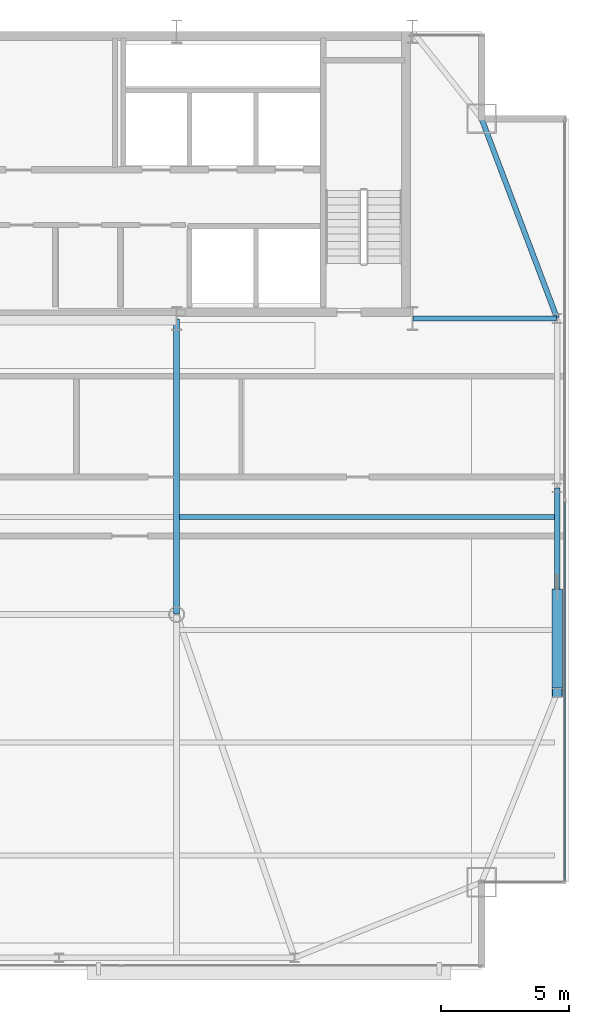
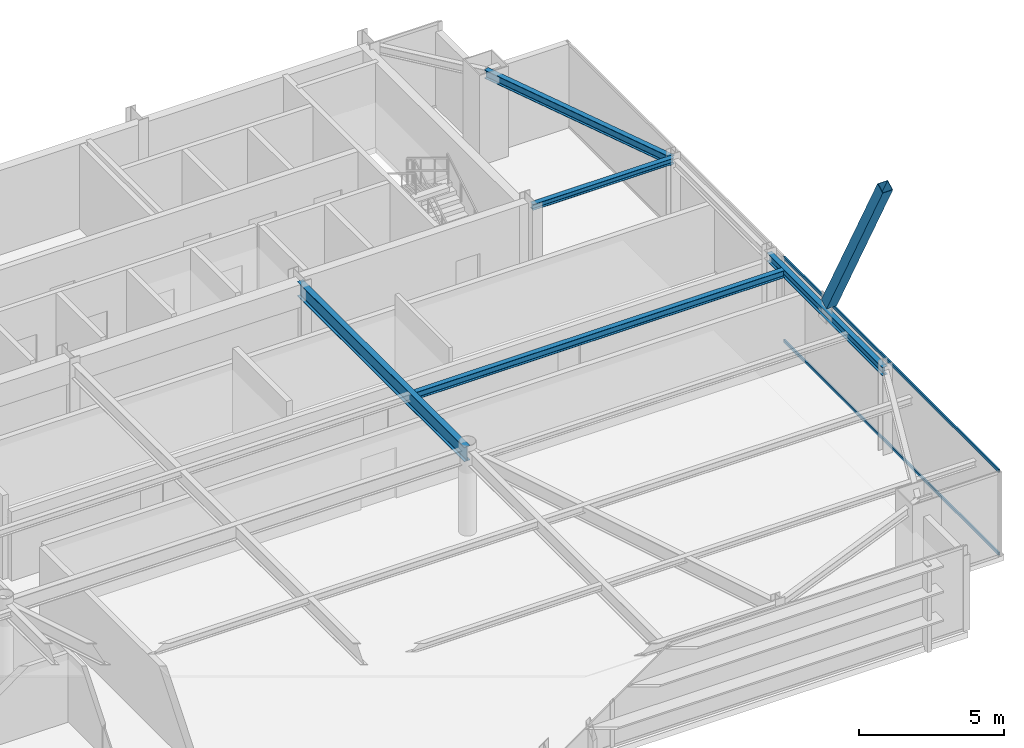
# One storey, part 14 of 26: 5 beams, 3 members, 1 element without a shape of its own.
"""IFC4 building model written with IfcOpenShell, lengths in metres."""

from ifc_helpers import new_model, si_unit, direction, frame, origin, origin_2d, place, context, subcontext, project, spatial, hollow_rectangle, i_section, extrude, source, transform, mapped, material, layer, layer_set, material_profile, profile_set, type_object, type_shapes, element, aggregate, save


model = new_model("IFC4")

# Units and contexts
model_context = context("Model", 3, precision=1e-05, world=origin(), true_north=direction((0.0, 1.0)))
body_context = subcontext(model_context, "Body", "Model", "MODEL_VIEW")
ifc_project = project(units=[si_unit("LENGTHUNIT", "METRE"), si_unit("AREAUNIT", "SQUARE_METRE"), si_unit("VOLUMEUNIT", "CUBIC_METRE"), si_unit("PLANEANGLEUNIT", "RADIAN"), si_unit("MASSUNIT", "GRAM", prefix="KILO")], contexts=[model_context])

# Site, building, storey
site_placement = place(None, origin())
site = spatial("IfcSite", under=ifc_project, at=site_placement, CompositionType="ELEMENT")
building_placement = place(site_placement, origin())
building = spatial("IfcBuilding", under=site, at=building_placement, Name="Varnel Quay Broadcast Tower", CompositionType="ELEMENT")
storey_placement = place(building_placement, frame((0.0, 0.0, 218.800048828125)))
storey = spatial("IfcBuildingStorey", under=building, at=storey_placement, Name="L54", CompositionType="ELEMENT", Elevation=218.800048828125)

# Beams
ifc_material_1 = material(Name="Structural Steel CSA G40.21 350W", Category="steel")
ifc_material_profile_1 = material_profile(ifc_material_1, i_section(OverallWidth=0.205078125, OverallDepth=0.35400390625, WebThickness=0.009521484375, FlangeThickness=0.016845703125, FilletRadius=0.012939453125, at=origin_2d()), Name="W360X79")
ifc_profile_set_1 = profile_set([ifc_material_profile_1], Name="Structural Steel CSA G40.21 350W")
beam_type_1 = type_object("IfcBeamType", Name="Beam_W360X79", PredefinedType="SPANDREL", material=ifc_profile_set_1)
shared_shape_1 = source(origin(), body_context, "Body", "SweptSolid", [
    extrude(i_section(OverallWidth=0.205078125, OverallDepth=0.35400390625, WebThickness=0.009521484375, FlangeThickness=0.016845703125, FilletRadius=0.012939453125, at=origin_2d()), origin(), (0.0, 0.0, 1.0), 7.9599609375),
])
beam_1_placement = place(storey_placement, frame((58.050048828125, 21.02001953125, 3.373046875), z_axis=(0.0, 1.0, 0.0), x_axis=(-1.0, 0.0, 0.0)))
element("IfcBeam", 1, at=beam_1_placement, inside=storey, type_object=beam_type_1, Name="L54 East Spandrel TC-E1-TC-E2", PredefinedType="SPANDREL", context=body_context, shape_type="MappedRepresentation", body=[
    mapped(shared_shape_1, transform((0.0, 0.0, 0.0), x_axis=(1.0, 0.0, 0.0), y_axis=(0.0, 1.0, 0.0), z_axis=(0.0, 0.0, 1.0), scale=1.0)),
])
shared_shape_2 = source(origin(), body_context, "Body", "SweptSolid", [
    extrude(i_section(OverallWidth=0.205078125, OverallDepth=0.35400390625, WebThickness=0.009521484375, FlangeThickness=0.016845703125, FilletRadius=0.012939453125, at=origin_2d()), origin(), (0.0, 0.0, 1.0), 8.29931640625),
])
type_shapes(beam_type_1, [shared_shape_1, shared_shape_2])
beam_2_placement = place(storey_placement, frame((58.04296875, 35.61865234375, 3.373046875), z_axis=(-0.353739782058, 0.935343876117, 0.0), x_axis=(-0.935343876117, -0.353739782058, 0.0)))
element("IfcBeam", 2, at=beam_2_placement, inside=storey, type_object=beam_type_1, Name="L54 East Spandrel TC-E3-MC-NE", PredefinedType="SPANDREL", context=body_context, shape_type="MappedRepresentation", body=[
    mapped(shared_shape_2, transform((0.0, 0.0, 0.0), x_axis=(1.0, 0.0, 0.0), y_axis=(0.0, 1.0, 0.0), z_axis=(0.0, 0.0, 1.0), scale=1.0)),
])
ifc_material_profile_2 = material_profile(ifc_material_1, i_section(OverallWidth=0.22998046875, OverallDepth=0.616943359375, WebThickness=0.01318359375, FlangeThickness=0.022216796875, FilletRadius=0.01611328125, at=origin_2d()), Name="W610X140")
ifc_profile_set_2 = profile_set([ifc_material_profile_2], Name="Structural Steel CSA G40.21 350W")
beam_type_2 = type_object("IfcBeamType", Name="Girder_W610X140", PredefinedType="BEAM", material=ifc_profile_set_2)
shared_shape_3 = source(origin(), body_context, "Body", "SweptSolid", [
    extrude(i_section(OverallWidth=0.22998046875, OverallDepth=0.616943359375, WebThickness=0.01318359375, FlangeThickness=0.022216796875, FilletRadius=0.01611328125, at=origin_2d()), origin(), (0.0, 0.0, 1.0), 11.510009765625),
])
type_shapes(beam_type_2, [shared_shape_3])
beam_3_placement = place(storey_placement, frame((43.199951171875, 24.070068359375, 3.241455078125), z_axis=(0.0, 1.0, 0.0), x_axis=(-1.0, 0.0, 0.0)))
element("IfcBeam", 3, at=beam_3_placement, inside=storey, type_object=beam_type_2, Name="L54 Primary Girder IC-02-CC-S4", PredefinedType="BEAM", context=body_context, shape_type="MappedRepresentation", body=[
    mapped(shared_shape_3, transform((0.0, 0.0, 0.0), x_axis=(1.0, 0.0, 0.0), y_axis=(0.0, 1.0, 0.0), z_axis=(0.0, 0.0, 1.0), scale=1.0)),
])
ifc_material_profile_3 = material_profile(ifc_material_1, i_section(OverallWidth=0.201904296875, OverallDepth=0.2470703125, WebThickness=0.00732421875, FlangeThickness=0.010986328125, FilletRadius=0.010986328125, at=origin_2d()), Name="W250X49")
ifc_profile_set_3 = profile_set([ifc_material_profile_3], Name="Structural Steel CSA G40.21 350W")
beam_type_3 = type_object("IfcBeamType", Name="Beam_W250X49", PredefinedType="JOIST", material=ifc_profile_set_3)
shared_shape_4 = source(origin(), body_context, "Body", "SweptSolid", [
    extrude(i_section(OverallWidth=0.201904296875, OverallDepth=0.2470703125, WebThickness=0.00732421875, FlangeThickness=0.010986328125, FilletRadius=0.010986328125, at=origin_2d()), origin(), (0.0, 0.0, 1.0), 5.610107421875),
])
type_shapes(beam_type_3, [shared_shape_4])
beam_4_placement = place(storey_placement, frame((52.419921875, 35.60009765625, 3.426513671875), z_axis=(1.0, 0.0, 0.0), x_axis=(0.0, 1.0, 0.0)))
element("IfcBeam", 4, at=beam_4_placement, inside=storey, type_object=beam_type_3, Name="L54 East Core Tie Joist", PredefinedType="JOIST", context=body_context, shape_type="MappedRepresentation", body=[
    mapped(shared_shape_4, transform((0.0, 0.0, 0.0), x_axis=(1.0, 0.0, 0.0), y_axis=(0.0, 1.0, 0.0), z_axis=(0.0, 0.0, 1.0), scale=1.0)),
])
ifc_material_profile_4 = material_profile(ifc_material_1, i_section(OverallWidth=0.202880859375, OverallDepth=0.302978515625, WebThickness=0.007568359375, FlangeThickness=0.01318359375, FilletRadius=0.011962890625, at=origin_2d()), Name="W310X60")
ifc_profile_set_4 = profile_set([ifc_material_profile_4], Name="Structural Steel CSA G40.21 350W")
beam_type_4 = type_object("IfcBeamType", Name="Beam_W310X60", PredefinedType="JOIST", material=ifc_profile_set_4)
shared_shape_5 = source(origin(), body_context, "Body", "SweptSolid", [
    extrude(i_section(OverallWidth=0.202880859375, OverallDepth=0.302978515625, WebThickness=0.007568359375, FlangeThickness=0.01318359375, FilletRadius=0.011962890625, at=origin_2d()), origin(), (0.0, 0.0, 1.0), 14.642333984375),
])
type_shapes(beam_type_4, [shared_shape_5])
beam_5_placement = place(storey_placement, frame((43.31005859375, 27.85009765625, 3.3984375), z_axis=(1.0, 0.0, 0.0), x_axis=(0.0, 1.0, 0.0)))
element("IfcBeam", 5, at=beam_5_placement, inside=storey, type_object=beam_type_4, Name="L54 East Floor Joist 4", PredefinedType="JOIST", context=body_context, shape_type="MappedRepresentation", body=[
    mapped(shared_shape_5, transform((0.0, 0.0, 0.0), x_axis=(1.0, 0.0, 0.0), y_axis=(0.0, 1.0, 0.0), z_axis=(0.0, 0.0, 1.0), scale=1.0)),
])

# Member
ifc_material_profile_5 = material_profile(ifc_material_1, hollow_rectangle(XDim=0.406005859375, YDim=0.406005859375, WallThickness=0.01611328125, at=origin_2d()), Name="HSS406X406X16")
ifc_profile_set_5 = profile_set([ifc_material_profile_5], Name="Structural Steel CSA G40.21 350W")
member_type_1 = type_object("IfcMemberType", Name="Brace_HSS406X406X16", PredefinedType="BRACE", material=ifc_profile_set_5)
shared_shape_6 = source(origin(), body_context, "Body", "SweptSolid", [
    extrude(hollow_rectangle(XDim=0.406005859375, YDim=0.406005859375, WallThickness=0.01611328125, at=origin_2d()), origin(), (0.0, 0.0, 1.0), 8.191650390625),
])
type_shapes(member_type_1, [shared_shape_6])
member_1_placement = place(storey_placement, frame((58.050048828125, 24.873046875, 3.91162109375), z_axis=(0.0, -0.47280190134, 0.881168747794), x_axis=(1.0, 0.0, 0.0)))
element("IfcMember", 6, at=member_1_placement, inside=storey, type_object=member_type_1, Name="Zone 4 Mega-Brace E-FT2 Split Diag B2", PredefinedType="BRACE", context=body_context, shape_type="MappedRepresentation", body=[
    mapped(shared_shape_6, transform((0.0, 0.0, 0.0), x_axis=(1.0, 0.0, 0.0), y_axis=(0.0, 1.0, 0.0), z_axis=(0.0, 0.0, 1.0), scale=1.0)),
])

# Curtain wall, members
ifc_material_2 = material(Name="Anodised Bronze Aluminium 6063-T6", Category="aluminium")
ifc_layer = layer(ifc_material_2, 0.18994140625, Name="Anodised Bronze Aluminium 6063-T6")
ifc_layer_set = layer_set([ifc_layer], Name="Anodised Bronze Aluminium 6063-T6")
curtain_wall_type = type_object("IfcCurtainWallType", Name="CW_UpperTower", PredefinedType="NOTDEFINED", material=ifc_layer_set)
curtain_wall_placement = place(storey_placement, origin())
curtain_wall = element("IfcCurtainWall", 7, at=curtain_wall_placement, inside=storey, type_object=curtain_wall_type, Name="L54 East Unitised Curtain Wall", PredefinedType="NOTDEFINED")
ifc_material_profile_6 = material_profile(ifc_material_2, hollow_rectangle(XDim=0.06005859375, YDim=0.125, WallThickness=0.0029296875, at=origin_2d()), Name="ALU60X125X3")
ifc_profile_set_6 = profile_set([ifc_material_profile_6], Name="Anodised Bronze Aluminium 6063-T6")
member_type_2 = type_object("IfcMemberType", Name="Tran_CWS-03", PredefinedType="USERDEFINED", material=ifc_profile_set_6)
shared_shape_7 = source(origin(), body_context, "Body", "SweptSolid", [
    extrude(hollow_rectangle(XDim=0.06005859375, YDim=0.125, WallThickness=0.0029296875, at=origin_2d()), origin(), (0.0, 0.0, 1.0), 14.802490234375),
])
type_shapes(member_type_2, [shared_shape_7])
member_2_placement = place(storey_placement, frame((58.35009765625, 13.6650390625, 0.030029296875), z_axis=(0.0, 1.0, 0.0), x_axis=(-1.0, 0.0, 0.0)))
member_2 = element("IfcMember", 8, at=member_2_placement, type_object=member_type_2, Name="CWS-03 transom 1.1", ObjectType="TRANSOM", PredefinedType="USERDEFINED", context=body_context, shape_type="MappedRepresentation", body=[
    mapped(shared_shape_7, transform((0.0, 0.0, 0.0), x_axis=(1.0, 0.0, 0.0), y_axis=(0.0, 1.0, 0.0), z_axis=(0.0, 0.0, 1.0), scale=1.0)),
])
member_3_placement = place(storey_placement, frame((58.35009765625, 13.6650390625, 3.52001953125), z_axis=(0.0, 1.0, 0.0), x_axis=(-1.0, 0.0, 0.0)))
member_3 = element("IfcMember", 9, at=member_3_placement, type_object=member_type_2, Name="CWS-03 transom 1.2", ObjectType="TRANSOM", PredefinedType="USERDEFINED", context=body_context, shape_type="MappedRepresentation", body=[
    mapped(shared_shape_7, transform((0.0, 0.0, 0.0), x_axis=(1.0, 0.0, 0.0), y_axis=(0.0, 1.0, 0.0), z_axis=(0.0, 0.0, 1.0), scale=1.0)),
])
aggregate(curtain_wall, [member_2, member_3])

save(model, "model.ifc")
